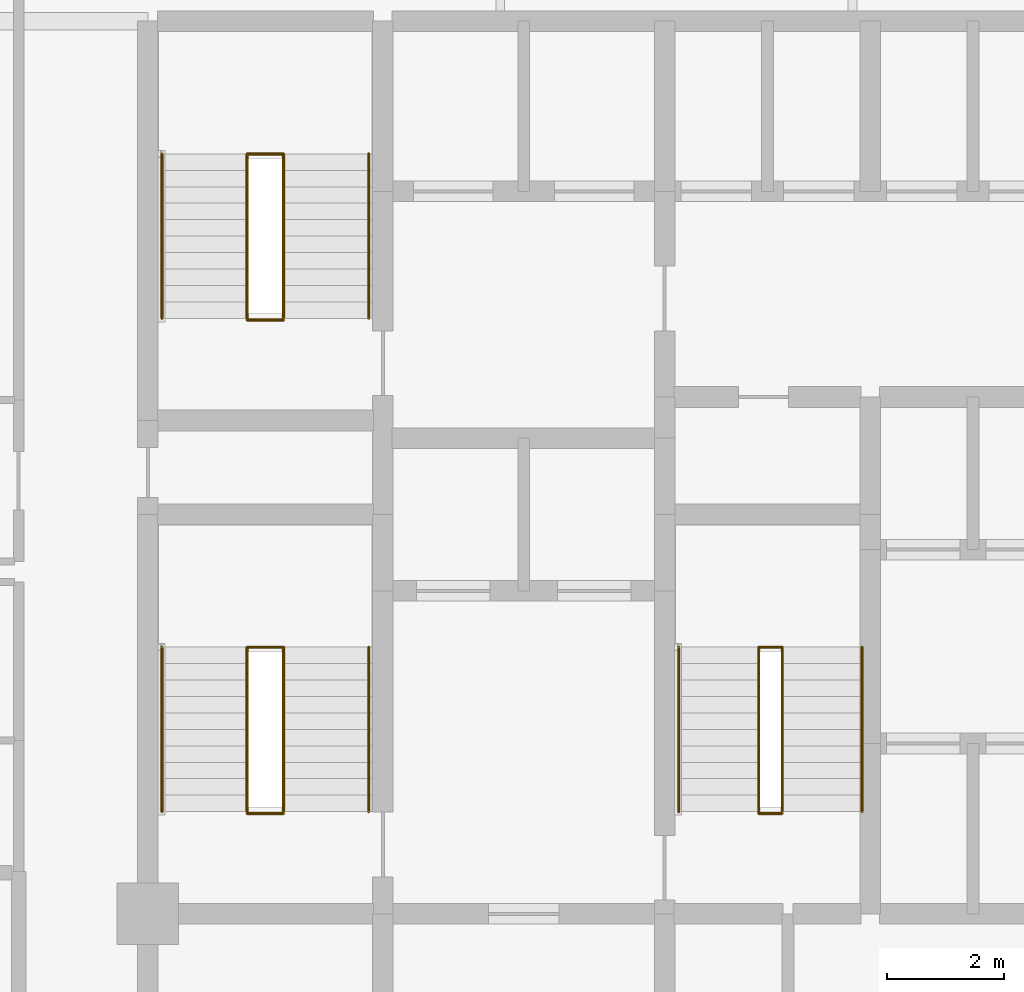
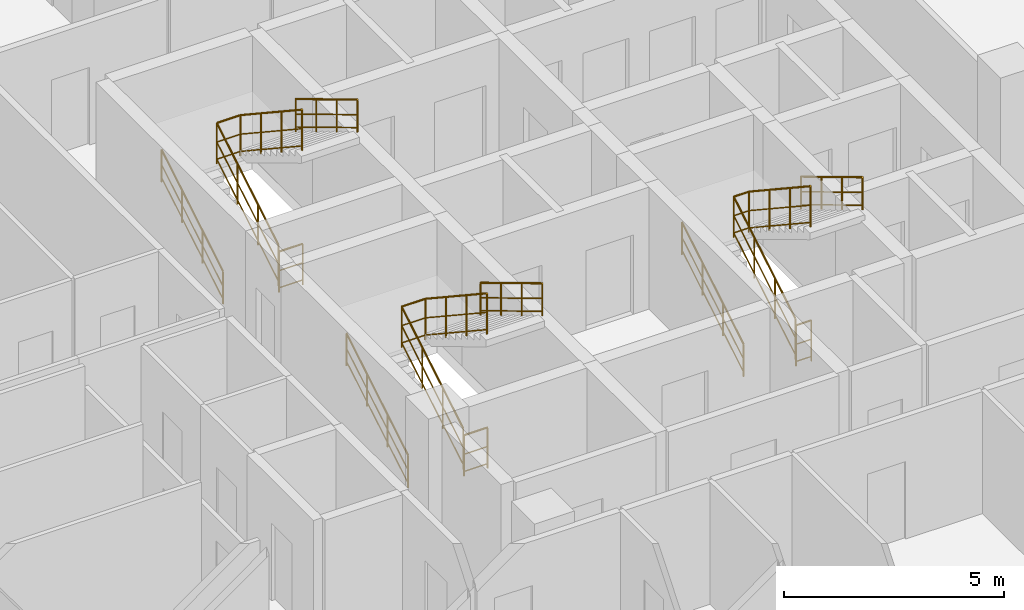
# One storey, part 29 of 29: 12 railings.
"""IFC4 building model written with IfcOpenShell, lengths in metres."""

from ifc_helpers import new_model, si_unit, direction, frame, origin, origin_2d, place, context, subcontext, project, spatial, circle, extrude, material, layer, layer_set, type_object, element, save


model = new_model("IFC4")

# Units and contexts
model_context = context("Model", 3, precision=1e-05, world=origin(), true_north=direction((0.0, 1.0)))
body_context = subcontext(model_context, "Body", "Model", "MODEL_VIEW")
ifc_project = project(units=[si_unit("LENGTHUNIT", "METRE"), si_unit("AREAUNIT", "SQUARE_METRE"), si_unit("VOLUMEUNIT", "CUBIC_METRE"), si_unit("PLANEANGLEUNIT", "RADIAN"), si_unit("MASSUNIT", "GRAM", prefix="KILO")], contexts=[model_context])

# Site, building, storey
site_placement = place(None, origin())
site = spatial("IfcSite", under=ifc_project, at=site_placement, CompositionType="ELEMENT")
building_placement = place(site_placement, origin())
building = spatial("IfcBuilding", under=site, at=building_placement, Name="Keshet Zoharim Tower", CompositionType="ELEMENT")
storey_placement = place(building_placement, frame((0.0, 0.0, 105.699951171875)))
storey = spatial("IfcBuildingStorey", under=building, at=storey_placement, Name="L25", CompositionType="ELEMENT", Elevation=105.699951171875)

# Railings
ifc_material = material(Name="Steel S355", Category="steel")
ifc_layer_1 = layer(ifc_material, 0.050048828125)
ifc_layer_set_1 = layer_set([ifc_layer_1], Name="Steel S355")
railing_type_1 = type_object("IfcRailingType", Name="RL-HND-092", PredefinedType="HANDRAIL", material=ifc_layer_set_1)
railing_1_placement = place(storey_placement, frame((15.239990234375, 24.43994140625, 0.168212890625)))
element("IfcRailing", 1, at=railing_1_placement, inside=storey, type_object=railing_type_1, Name="L25 ST-01 Flight 1 Wall Handrail", PredefinedType="HANDRAIL", context=body_context, shape_type="SweptSolid", body=[
    extrude(circle(Radius=0.02392578125, at=origin_2d()), frame((0.0, 0.0, 0.89599609375), z_axis=(0.0, 0.857242210791, 0.514913383045), x_axis=(-1.0, 0.0, 0.0)), (0.0, 0.0, 1.0), 3.266357421875),
    extrude(circle(Radius=0.01611328125, at=origin_2d()), frame((0.0, 0.0, 0.478271484375), z_axis=(0.0, 0.857242210791, 0.514913383045), x_axis=(-1.0, 0.0, 0.0)), (0.0, 0.0, 1.0), 3.266357421875),
    extrude(circle(Radius=0.01611328125, at=origin_2d()), frame((0.0, 0.0, 0.1201171875), z_axis=(0.0, 0.857242210791, 0.514913383045), x_axis=(-1.0, 0.0, 0.0)), (0.0, 0.0, 1.0), 3.266357421875),
    extrude(circle(Radius=0.02099609375, at=origin_2d()), origin(), (0.0, 0.0, 1.0), 0.871826171875),
    extrude(circle(Radius=0.02099609375, at=origin_2d()), frame((0.0, 0.933349609375, 0.560546875)), (0.0, 0.0, 1.0), 0.871826171875),
    extrude(circle(Radius=0.02099609375, at=origin_2d()), frame((0.0, 1.86669921875, 1.121337890625)), (0.0, 0.0, 1.0), 0.871826171875),
    extrude(circle(Radius=0.02099609375, at=origin_2d()), frame((0.0, 2.800048828125, 1.681884765625)), (0.0, 0.0, 1.0), 0.871826171875),
])
railing_2_placement = place(storey_placement, frame((18.760009765625, 27.239990234375, 2.018310546875)))
element("IfcRailing", 2, at=railing_2_placement, inside=storey, type_object=railing_type_1, Name="L25 ST-01 Flight 2 Wall Handrail", PredefinedType="HANDRAIL", context=body_context, shape_type="SweptSolid", body=[
    extrude(circle(Radius=0.02392578125, at=origin_2d()), frame((0.0, 0.0, 0.89599609375), z_axis=(0.0, -0.857275202839, 0.514858452973), x_axis=(1.0, 0.0, 0.0)), (0.0, 0.0, 1.0), 3.26611328125),
    extrude(circle(Radius=0.01611328125, at=origin_2d()), frame((0.0, 0.0, 0.478271484375), z_axis=(0.0, -0.857275202839, 0.514858452973), x_axis=(1.0, 0.0, 0.0)), (0.0, 0.0, 1.0), 3.26611328125),
    extrude(circle(Radius=0.01611328125, at=origin_2d()), frame((0.0, 0.0, 0.1201171875), z_axis=(0.0, -0.857275202839, 0.514858452973), x_axis=(1.0, 0.0, 0.0)), (0.0, 0.0, 1.0), 3.26611328125),
    extrude(circle(Radius=0.02099609375, at=origin_2d()), origin(), (0.0, 0.0, 1.0), 0.871826171875),
    extrude(circle(Radius=0.02099609375, at=origin_2d()), frame((0.0, -0.933349609375, 0.560546875)), (0.0, 0.0, 1.0), 0.871826171875),
    extrude(circle(Radius=0.02099609375, at=origin_2d()), frame((0.0, -1.86669921875, 1.12109375)), (0.0, 0.0, 1.0), 0.871826171875),
    extrude(circle(Radius=0.02099609375, at=origin_2d()), frame((0.0, -2.800048828125, 1.681640625)), (0.0, 0.0, 1.0), 0.871826171875),
])
railing_3_placement = place(storey_placement, frame((15.239990234375, 32.840087890625, 0.168212890625)))
element("IfcRailing", 3, at=railing_3_placement, inside=storey, type_object=railing_type_1, Name="L25 ST-02 Flight 1 Wall Handrail", PredefinedType="HANDRAIL", context=body_context, shape_type="SweptSolid", body=[
    extrude(circle(Radius=0.02392578125, at=origin_2d()), frame((0.0, 0.0, 0.89599609375), z_axis=(0.0, 0.857222391501, 0.514946377315), x_axis=(-1.0, 0.0, 0.0)), (0.0, 0.0, 1.0), 3.26611328125),
    extrude(circle(Radius=0.01611328125, at=origin_2d()), frame((0.0, 0.0, 0.478271484375), z_axis=(0.0, 0.857222391501, 0.514946377315), x_axis=(-1.0, 0.0, 0.0)), (0.0, 0.0, 1.0), 3.26611328125),
    extrude(circle(Radius=0.01611328125, at=origin_2d()), frame((0.0, 0.0, 0.1201171875), z_axis=(0.0, 0.857222391501, 0.514946377315), x_axis=(-1.0, 0.0, 0.0)), (0.0, 0.0, 1.0), 3.26611328125),
    extrude(circle(Radius=0.02099609375, at=origin_2d()), origin(), (0.0, 0.0, 1.0), 0.871826171875),
    extrude(circle(Radius=0.02099609375, at=origin_2d()), frame((0.0, 0.933349609375, 0.560546875)), (0.0, 0.0, 1.0), 0.871826171875),
    extrude(circle(Radius=0.02099609375, at=origin_2d()), frame((0.0, 1.866455078125, 1.121337890625)), (0.0, 0.0, 1.0), 0.871826171875),
    extrude(circle(Radius=0.02099609375, at=origin_2d()), frame((0.0, 2.7998046875, 1.681884765625)), (0.0, 0.0, 1.0), 0.871826171875),
])
railing_4_placement = place(storey_placement, frame((18.760009765625, 35.639892578125, 2.018310546875)))
element("IfcRailing", 4, at=railing_4_placement, inside=storey, type_object=railing_type_1, Name="L25 ST-02 Flight 2 Wall Handrail", PredefinedType="HANDRAIL", context=body_context, shape_type="SweptSolid", body=[
    extrude(circle(Radius=0.02392578125, at=origin_2d()), frame((0.0, 0.0, 0.89599609375), z_axis=(0.0, -0.857255387014, 0.514891446264), x_axis=(1.0, 0.0, 0.0)), (0.0, 0.0, 1.0), 3.26611328125),
    extrude(circle(Radius=0.01611328125, at=origin_2d()), frame((0.0, 0.0, 0.478271484375), z_axis=(0.0, -0.857255387014, 0.514891446264), x_axis=(1.0, 0.0, 0.0)), (0.0, 0.0, 1.0), 3.26611328125),
    extrude(circle(Radius=0.01611328125, at=origin_2d()), frame((0.0, 0.0, 0.1201171875), z_axis=(0.0, -0.857255387014, 0.514891446264), x_axis=(1.0, 0.0, 0.0)), (0.0, 0.0, 1.0), 3.26611328125),
    extrude(circle(Radius=0.02099609375, at=origin_2d()), origin(), (0.0, 0.0, 1.0), 0.871826171875),
    extrude(circle(Radius=0.02099609375, at=origin_2d()), frame((0.0, -0.933349609375, 0.560546875)), (0.0, 0.0, 1.0), 0.871826171875),
    extrude(circle(Radius=0.02099609375, at=origin_2d()), frame((0.0, -1.866455078125, 1.12109375)), (0.0, 0.0, 1.0), 0.871826171875),
    extrude(circle(Radius=0.02099609375, at=origin_2d()), frame((0.0, -2.7998046875, 1.681640625)), (0.0, 0.0, 1.0), 0.871826171875),
])
railing_5_placement = place(storey_placement, frame((24.0400390625, 24.43994140625, 0.168212890625)))
element("IfcRailing", 5, at=railing_5_placement, inside=storey, type_object=railing_type_1, Name="L25 ST-03 Flight 1 Wall Handrail", PredefinedType="HANDRAIL", context=body_context, shape_type="SweptSolid", body=[
    extrude(circle(Radius=0.02392578125, at=origin_2d()), frame((0.0, 0.0, 0.89599609375), z_axis=(0.0, 0.857242210791, 0.514913383045), x_axis=(-1.0, 0.0, 0.0)), (0.0, 0.0, 1.0), 3.266357421875),
    extrude(circle(Radius=0.01611328125, at=origin_2d()), frame((0.0, 0.0, 0.478271484375), z_axis=(0.0, 0.857242210791, 0.514913383045), x_axis=(-1.0, 0.0, 0.0)), (0.0, 0.0, 1.0), 3.266357421875),
    extrude(circle(Radius=0.01611328125, at=origin_2d()), frame((0.0, 0.0, 0.1201171875), z_axis=(0.0, 0.857242210791, 0.514913383045), x_axis=(-1.0, 0.0, 0.0)), (0.0, 0.0, 1.0), 3.266357421875),
    extrude(circle(Radius=0.02099609375, at=origin_2d()), origin(), (0.0, 0.0, 1.0), 0.871826171875),
    extrude(circle(Radius=0.02099609375, at=origin_2d()), frame((0.0, 0.933349609375, 0.560546875)), (0.0, 0.0, 1.0), 0.871826171875),
    extrude(circle(Radius=0.02099609375, at=origin_2d()), frame((0.0, 1.86669921875, 1.121337890625)), (0.0, 0.0, 1.0), 0.871826171875),
    extrude(circle(Radius=0.02099609375, at=origin_2d()), frame((0.0, 2.800048828125, 1.681884765625)), (0.0, 0.0, 1.0), 0.871826171875),
])
railing_6_placement = place(storey_placement, frame((27.159912109375, 27.239990234375, 2.018310546875)))
element("IfcRailing", 6, at=railing_6_placement, inside=storey, type_object=railing_type_1, Name="L25 ST-03 Flight 2 Wall Handrail", PredefinedType="HANDRAIL", context=body_context, shape_type="SweptSolid", body=[
    extrude(circle(Radius=0.02392578125, at=origin_2d()), frame((0.0, 0.0, 0.89599609375), z_axis=(0.0, -0.857275202839, 0.514858452973), x_axis=(1.0, 0.0, 0.0)), (0.0, 0.0, 1.0), 3.26611328125),
    extrude(circle(Radius=0.01611328125, at=origin_2d()), frame((0.0, 0.0, 0.478271484375), z_axis=(0.0, -0.857275202839, 0.514858452973), x_axis=(1.0, 0.0, 0.0)), (0.0, 0.0, 1.0), 3.26611328125),
    extrude(circle(Radius=0.01611328125, at=origin_2d()), frame((0.0, 0.0, 0.1201171875), z_axis=(0.0, -0.857275202839, 0.514858452973), x_axis=(1.0, 0.0, 0.0)), (0.0, 0.0, 1.0), 3.26611328125),
    extrude(circle(Radius=0.02099609375, at=origin_2d()), origin(), (0.0, 0.0, 1.0), 0.871826171875),
    extrude(circle(Radius=0.02099609375, at=origin_2d()), frame((0.0, -0.933349609375, 0.560546875)), (0.0, 0.0, 1.0), 0.871826171875),
    extrude(circle(Radius=0.02099609375, at=origin_2d()), frame((0.0, -1.86669921875, 1.12109375)), (0.0, 0.0, 1.0), 0.871826171875),
    extrude(circle(Radius=0.02099609375, at=origin_2d()), frame((0.0, -2.800048828125, 1.681640625)), (0.0, 0.0, 1.0), 0.871826171875),
])
ifc_layer_2 = layer(ifc_material, 0.06005859375)
ifc_layer_set_2 = layer_set([ifc_layer_2], Name="Steel S355")
railing_type_2 = type_object("IfcRailingType", Name="RL-STG-115", PredefinedType="GUARDRAIL", material=ifc_layer_set_2)
railing_7_placement = place(storey_placement, frame((16.68994140625, 24.43994140625, 0.168212890625)))
element("IfcRailing", 7, at=railing_7_placement, inside=storey, type_object=railing_type_2, Name="L25 ST-01 Inner Well Guardrail", PredefinedType="GUARDRAIL", context=body_context, shape_type="SweptSolid", body=[
    extrude(circle(Radius=0.02392578125, at=origin_2d()), frame((0.0, 0.0, 1.1259765625), z_axis=(0.0, 0.857242210791, 0.514913383045), x_axis=(-1.0, 0.0, 0.0)), (0.0, 0.0, 1.0), 3.266357421875),
    extrude(circle(Radius=0.01611328125, at=origin_2d()), frame((0.0, 0.0, 0.597900390625), z_axis=(0.0, 0.857242210791, 0.514913383045), x_axis=(-1.0, 0.0, 0.0)), (0.0, 0.0, 1.0), 3.266357421875),
    extrude(circle(Radius=0.01611328125, at=origin_2d()), frame((0.0, 0.0, 0.1201171875), z_axis=(0.0, 0.857242210791, 0.514913383045), x_axis=(-1.0, 0.0, 0.0)), (0.0, 0.0, 1.0), 3.266357421875),
    extrude(circle(Radius=0.02392578125, at=origin_2d()), frame((0.0, 2.800048828125, 2.8076171875), z_axis=(1.0, 0.0, 0.0), x_axis=(0.0, 1.0, 0.0)), (0.0, 0.0, 1.0), 0.6201171875),
    extrude(circle(Radius=0.01611328125, at=origin_2d()), frame((0.0, 2.800048828125, 2.27978515625), z_axis=(1.0, 0.0, 0.0), x_axis=(0.0, 1.0, 0.0)), (0.0, 0.0, 1.0), 0.6201171875),
    extrude(circle(Radius=0.01611328125, at=origin_2d()), frame((0.0, 2.800048828125, 1.802001953125), z_axis=(1.0, 0.0, 0.0), x_axis=(0.0, 1.0, 0.0)), (0.0, 0.0, 1.0), 0.6201171875),
    extrude(circle(Radius=0.02392578125, at=origin_2d()), frame((0.6201171875, 2.800048828125, 2.8076171875), z_axis=(0.0, -0.83435981716, 0.551220187865), x_axis=(1.0, 0.0, 0.0)), (0.0, 0.0, 1.0), 3.35595703125),
    extrude(circle(Radius=0.01611328125, at=origin_2d()), frame((0.6201171875, 2.800048828125, 2.27978515625), z_axis=(0.0, -0.83435981716, 0.551220187865), x_axis=(1.0, 0.0, 0.0)), (0.0, 0.0, 1.0), 3.35595703125),
    extrude(circle(Radius=0.01611328125, at=origin_2d()), frame((0.6201171875, 2.800048828125, 1.802001953125), z_axis=(0.0, -0.83435981716, 0.551220187865), x_axis=(1.0, 0.0, 0.0)), (0.0, 0.0, 1.0), 3.35595703125),
    extrude(circle(Radius=0.02099609375, at=origin_2d()), origin(), (0.0, 0.0, 1.0), 1.101806640625),
    extrude(circle(Radius=0.02099609375, at=origin_2d()), frame((0.0, 0.933349609375, 0.560546875)), (0.0, 0.0, 1.0), 1.101806640625),
    extrude(circle(Radius=0.02099609375, at=origin_2d()), frame((0.0, 1.86669921875, 1.121337890625)), (0.0, 0.0, 1.0), 1.101806640625),
    extrude(circle(Radius=0.02099609375, at=origin_2d()), frame((0.0, 2.800048828125, 1.681884765625)), (0.0, 0.0, 1.0), 1.101806640625),
    extrude(circle(Radius=0.02099609375, at=origin_2d()), frame((0.6201171875, 2.800048828125, 1.681884765625)), (0.0, 0.0, 1.0), 1.101806640625),
    extrude(circle(Radius=0.02099609375, at=origin_2d()), frame((0.6201171875, 1.86669921875, 2.298583984375)), (0.0, 0.0, 1.0), 1.101806640625),
    extrude(circle(Radius=0.02099609375, at=origin_2d()), frame((0.6201171875, 0.933349609375, 2.9150390625)), (0.0, 0.0, 1.0), 1.101806640625),
    extrude(circle(Radius=0.02099609375, at=origin_2d()), frame((0.6201171875, 0.0, 3.53173828125)), (0.0, 0.0, 1.0), 1.101806640625),
])
railing_8_placement = place(storey_placement, frame((16.68994140625, 24.409912109375, 0.0)))
element("IfcRailing", 8, at=railing_8_placement, inside=storey, type_object=railing_type_2, Name="L25 ST-01 Stairwell Floor Guardrail", PredefinedType="GUARDRAIL", context=body_context, shape_type="SweptSolid", body=[
    extrude(circle(Radius=0.02392578125, at=origin_2d()), frame((0.0, 0.0, 1.1259765625), z_axis=(1.0, 0.0, 0.0), x_axis=(0.0, 1.0, 0.0)), (0.0, 0.0, 1.0), 0.6201171875),
    extrude(circle(Radius=0.01611328125, at=origin_2d()), frame((0.0, 0.0, 0.597900390625), z_axis=(1.0, 0.0, 0.0), x_axis=(0.0, 1.0, 0.0)), (0.0, 0.0, 1.0), 0.6201171875),
    extrude(circle(Radius=0.01611328125, at=origin_2d()), frame((0.0, 0.0, 0.1201171875), z_axis=(1.0, 0.0, 0.0), x_axis=(0.0, 1.0, 0.0)), (0.0, 0.0, 1.0), 0.6201171875),
    extrude(circle(Radius=0.02099609375, at=origin_2d()), origin(), (0.0, 0.0, 1.0), 1.101806640625),
    extrude(circle(Radius=0.02099609375, at=origin_2d()), frame((0.6201171875, 0.0, 0.0)), (0.0, 0.0, 1.0), 1.101806640625),
])
railing_9_placement = place(storey_placement, frame((16.68994140625, 32.840087890625, 0.168212890625)))
element("IfcRailing", 9, at=railing_9_placement, inside=storey, type_object=railing_type_2, Name="L25 ST-02 Inner Well Guardrail", PredefinedType="GUARDRAIL", context=body_context, shape_type="SweptSolid", body=[
    extrude(circle(Radius=0.02392578125, at=origin_2d()), frame((0.0, 0.0, 1.1259765625), z_axis=(0.0, 0.857222391501, 0.514946377315), x_axis=(-1.0, 0.0, 0.0)), (0.0, 0.0, 1.0), 3.26611328125),
    extrude(circle(Radius=0.01611328125, at=origin_2d()), frame((0.0, 0.0, 0.597900390625), z_axis=(0.0, 0.857222391501, 0.514946377315), x_axis=(-1.0, 0.0, 0.0)), (0.0, 0.0, 1.0), 3.26611328125),
    extrude(circle(Radius=0.01611328125, at=origin_2d()), frame((0.0, 0.0, 0.1201171875), z_axis=(0.0, 0.857222391501, 0.514946377315), x_axis=(-1.0, 0.0, 0.0)), (0.0, 0.0, 1.0), 3.26611328125),
    extrude(circle(Radius=0.02392578125, at=origin_2d()), frame((0.0, 2.7998046875, 2.8076171875), z_axis=(1.0, 0.0, 0.0), x_axis=(0.0, 1.0, 0.0)), (0.0, 0.0, 1.0), 0.6201171875),
    extrude(circle(Radius=0.01611328125, at=origin_2d()), frame((0.0, 2.7998046875, 2.27978515625), z_axis=(1.0, 0.0, 0.0), x_axis=(0.0, 1.0, 0.0)), (0.0, 0.0, 1.0), 0.6201171875),
    extrude(circle(Radius=0.01611328125, at=origin_2d()), frame((0.0, 2.7998046875, 1.802001953125), z_axis=(1.0, 0.0, 0.0), x_axis=(0.0, 1.0, 0.0)), (0.0, 0.0, 1.0), 0.6201171875),
    extrude(circle(Radius=0.02392578125, at=origin_2d()), frame((0.6201171875, 2.7998046875, 2.8076171875), z_axis=(0.0, -0.834337710781, 0.551253647941), x_axis=(1.0, 0.0, 0.0)), (0.0, 0.0, 1.0), 3.355712890625),
    extrude(circle(Radius=0.01611328125, at=origin_2d()), frame((0.6201171875, 2.7998046875, 2.27978515625), z_axis=(0.0, -0.834337710781, 0.551253647941), x_axis=(1.0, 0.0, 0.0)), (0.0, 0.0, 1.0), 3.355712890625),
    extrude(circle(Radius=0.01611328125, at=origin_2d()), frame((0.6201171875, 2.7998046875, 1.802001953125), z_axis=(0.0, -0.834337710781, 0.551253647941), x_axis=(1.0, 0.0, 0.0)), (0.0, 0.0, 1.0), 3.355712890625),
    extrude(circle(Radius=0.02099609375, at=origin_2d()), origin(), (0.0, 0.0, 1.0), 1.101806640625),
    extrude(circle(Radius=0.02099609375, at=origin_2d()), frame((0.0, 0.933349609375, 0.560546875)), (0.0, 0.0, 1.0), 1.101806640625),
    extrude(circle(Radius=0.02099609375, at=origin_2d()), frame((0.0, 1.866455078125, 1.121337890625)), (0.0, 0.0, 1.0), 1.101806640625),
    extrude(circle(Radius=0.02099609375, at=origin_2d()), frame((0.0, 2.7998046875, 1.681884765625)), (0.0, 0.0, 1.0), 1.101806640625),
    extrude(circle(Radius=0.02099609375, at=origin_2d()), frame((0.6201171875, 2.7998046875, 1.681884765625)), (0.0, 0.0, 1.0), 1.101806640625),
    extrude(circle(Radius=0.02099609375, at=origin_2d()), frame((0.6201171875, 1.866455078125, 2.298583984375)), (0.0, 0.0, 1.0), 1.101806640625),
    extrude(circle(Radius=0.02099609375, at=origin_2d()), frame((0.6201171875, 0.933349609375, 2.9150390625)), (0.0, 0.0, 1.0), 1.101806640625),
    extrude(circle(Radius=0.02099609375, at=origin_2d()), frame((0.6201171875, 0.0, 3.53173828125)), (0.0, 0.0, 1.0), 1.101806640625),
])
railing_10_placement = place(storey_placement, frame((16.68994140625, 32.81005859375, 0.0)))
element("IfcRailing", 10, at=railing_10_placement, inside=storey, type_object=railing_type_2, Name="L25 ST-02 Stairwell Floor Guardrail", PredefinedType="GUARDRAIL", context=body_context, shape_type="SweptSolid", body=[
    extrude(circle(Radius=0.02392578125, at=origin_2d()), frame((0.0, 0.0, 1.1259765625), z_axis=(1.0, 0.0, 0.0), x_axis=(0.0, 1.0, 0.0)), (0.0, 0.0, 1.0), 0.6201171875),
    extrude(circle(Radius=0.01611328125, at=origin_2d()), frame((0.0, 0.0, 0.597900390625), z_axis=(1.0, 0.0, 0.0), x_axis=(0.0, 1.0, 0.0)), (0.0, 0.0, 1.0), 0.6201171875),
    extrude(circle(Radius=0.01611328125, at=origin_2d()), frame((0.0, 0.0, 0.1201171875), z_axis=(1.0, 0.0, 0.0), x_axis=(0.0, 1.0, 0.0)), (0.0, 0.0, 1.0), 0.6201171875),
    extrude(circle(Radius=0.02099609375, at=origin_2d()), origin(), (0.0, 0.0, 1.0), 1.101806640625),
    extrude(circle(Radius=0.02099609375, at=origin_2d()), frame((0.6201171875, 0.0, 0.0)), (0.0, 0.0, 1.0), 1.101806640625),
])
railing_11_placement = place(storey_placement, frame((25.39990234375, 24.43994140625, 0.168212890625)))
element("IfcRailing", 11, at=railing_11_placement, inside=storey, type_object=railing_type_2, Name="L25 ST-03 Inner Well Guardrail", PredefinedType="GUARDRAIL", context=body_context, shape_type="SweptSolid", body=[
    extrude(circle(Radius=0.02392578125, at=origin_2d()), frame((0.0, 0.0, 1.1259765625), z_axis=(0.0, 0.857242210791, 0.514913383045), x_axis=(-1.0, 0.0, 0.0)), (0.0, 0.0, 1.0), 3.266357421875),
    extrude(circle(Radius=0.01611328125, at=origin_2d()), frame((0.0, 0.0, 0.597900390625), z_axis=(0.0, 0.857242210791, 0.514913383045), x_axis=(-1.0, 0.0, 0.0)), (0.0, 0.0, 1.0), 3.266357421875),
    extrude(circle(Radius=0.01611328125, at=origin_2d()), frame((0.0, 0.0, 0.1201171875), z_axis=(0.0, 0.857242210791, 0.514913383045), x_axis=(-1.0, 0.0, 0.0)), (0.0, 0.0, 1.0), 3.266357421875),
    extrude(circle(Radius=0.02392578125, at=origin_2d()), frame((0.0, 2.800048828125, 2.8076171875), z_axis=(1.0, 0.0, 0.0), x_axis=(0.0, 1.0, 0.0)), (0.0, 0.0, 1.0), 0.400146484375),
    extrude(circle(Radius=0.01611328125, at=origin_2d()), frame((0.0, 2.800048828125, 2.27978515625), z_axis=(1.0, 0.0, 0.0), x_axis=(0.0, 1.0, 0.0)), (0.0, 0.0, 1.0), 0.400146484375),
    extrude(circle(Radius=0.01611328125, at=origin_2d()), frame((0.0, 2.800048828125, 1.802001953125), z_axis=(1.0, 0.0, 0.0), x_axis=(0.0, 1.0, 0.0)), (0.0, 0.0, 1.0), 0.400146484375),
    extrude(circle(Radius=0.02392578125, at=origin_2d()), frame((0.400146484375, 2.800048828125, 2.8076171875), z_axis=(0.0, -0.83435981716, 0.551220187865), x_axis=(1.0, 0.0, 0.0)), (0.0, 0.0, 1.0), 3.35595703125),
    extrude(circle(Radius=0.01611328125, at=origin_2d()), frame((0.400146484375, 2.800048828125, 2.27978515625), z_axis=(0.0, -0.83435981716, 0.551220187865), x_axis=(1.0, 0.0, 0.0)), (0.0, 0.0, 1.0), 3.35595703125),
    extrude(circle(Radius=0.01611328125, at=origin_2d()), frame((0.400146484375, 2.800048828125, 1.802001953125), z_axis=(0.0, -0.83435981716, 0.551220187865), x_axis=(1.0, 0.0, 0.0)), (0.0, 0.0, 1.0), 3.35595703125),
    extrude(circle(Radius=0.02099609375, at=origin_2d()), origin(), (0.0, 0.0, 1.0), 1.101806640625),
    extrude(circle(Radius=0.02099609375, at=origin_2d()), frame((0.0, 0.933349609375, 0.560546875)), (0.0, 0.0, 1.0), 1.101806640625),
    extrude(circle(Radius=0.02099609375, at=origin_2d()), frame((0.0, 1.86669921875, 1.121337890625)), (0.0, 0.0, 1.0), 1.101806640625),
    extrude(circle(Radius=0.02099609375, at=origin_2d()), frame((0.0, 2.800048828125, 1.681884765625)), (0.0, 0.0, 1.0), 1.101806640625),
    extrude(circle(Radius=0.02099609375, at=origin_2d()), frame((0.400146484375, 2.800048828125, 1.681884765625)), (0.0, 0.0, 1.0), 1.101806640625),
    extrude(circle(Radius=0.02099609375, at=origin_2d()), frame((0.400146484375, 1.86669921875, 2.298583984375)), (0.0, 0.0, 1.0), 1.101806640625),
    extrude(circle(Radius=0.02099609375, at=origin_2d()), frame((0.400146484375, 0.933349609375, 2.9150390625)), (0.0, 0.0, 1.0), 1.101806640625),
    extrude(circle(Radius=0.02099609375, at=origin_2d()), frame((0.400146484375, 0.0, 3.53173828125)), (0.0, 0.0, 1.0), 1.101806640625),
])
railing_12_placement = place(storey_placement, frame((25.39990234375, 24.409912109375, 0.0)))
element("IfcRailing", 12, at=railing_12_placement, inside=storey, type_object=railing_type_2, Name="L25 ST-03 Stairwell Floor Guardrail", PredefinedType="GUARDRAIL", context=body_context, shape_type="SweptSolid", body=[
    extrude(circle(Radius=0.02392578125, at=origin_2d()), frame((0.0, 0.0, 1.1259765625), z_axis=(1.0, 0.0, 0.0), x_axis=(0.0, 1.0, 0.0)), (0.0, 0.0, 1.0), 0.400146484375),
    extrude(circle(Radius=0.01611328125, at=origin_2d()), frame((0.0, 0.0, 0.597900390625), z_axis=(1.0, 0.0, 0.0), x_axis=(0.0, 1.0, 0.0)), (0.0, 0.0, 1.0), 0.400146484375),
    extrude(circle(Radius=0.01611328125, at=origin_2d()), frame((0.0, 0.0, 0.1201171875), z_axis=(1.0, 0.0, 0.0), x_axis=(0.0, 1.0, 0.0)), (0.0, 0.0, 1.0), 0.400146484375),
    extrude(circle(Radius=0.02099609375, at=origin_2d()), origin(), (0.0, 0.0, 1.0), 1.101806640625),
    extrude(circle(Radius=0.02099609375, at=origin_2d()), frame((0.400146484375, 0.0, 0.0)), (0.0, 0.0, 1.0), 1.101806640625),
])

save(model, "model.ifc")
